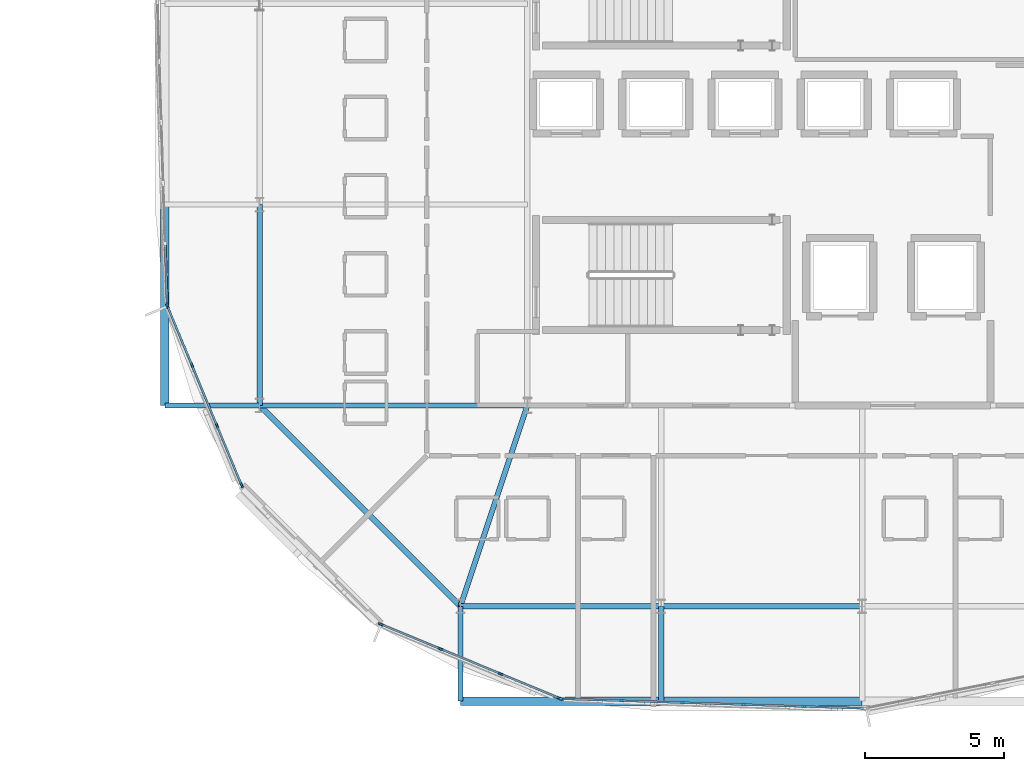
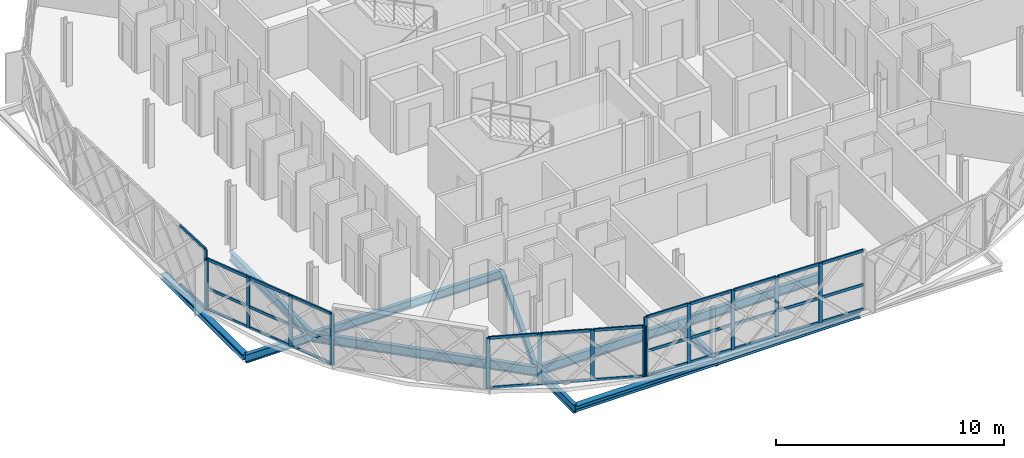
# One storey, part 5 of 26: 46 members, 12 beams, 4 elements without a shape of their own.
"""IFC4 building model written with IfcOpenShell, lengths in metres."""

from ifc_helpers import new_model, si_unit, direction, frame, origin, origin_2d, place, context, subcontext, project, spatial, rectangle, i_section, extrude, material, layer, layer_set, material_profile, profile_set, type_object, element, aggregate, save


model = new_model("IFC4")

# Units and contexts
model_context = context("Model", 3, precision=1e-05, world=origin(), true_north=direction((0.0, 1.0)))
body_context = subcontext(model_context, "Body", "Model", "MODEL_VIEW")
ifc_project = project(units=[si_unit("LENGTHUNIT", "METRE"), si_unit("AREAUNIT", "SQUARE_METRE"), si_unit("VOLUMEUNIT", "CUBIC_METRE"), si_unit("PLANEANGLEUNIT", "RADIAN"), si_unit("MASSUNIT", "GRAM", prefix="KILO")], contexts=[model_context])

# Site, building, storey
site_placement = place(None, origin())
site = spatial("IfcSite", under=ifc_project, at=site_placement, CompositionType="ELEMENT")
building_placement = place(site_placement, origin())
building = spatial("IfcBuilding", under=site, at=building_placement, Name="Zevrakil Square Congress Hotel", CompositionType="ELEMENT")
storey_placement = place(building_placement, frame((0.0, 0.0, 24.89990234375)))
storey = spatial("IfcBuildingStorey", under=building, at=storey_placement, Name="L07", CompositionType="ELEMENT", Elevation=24.89990234375)

# Beams
ifc_material_1 = material(Name="Steel S355", Category="steel")
ifc_material_profile_1 = material_profile(ifc_material_1, i_section(OverallWidth=0.18994140625, OverallDepth=0.449951171875, WebThickness=0.009521484375, FlangeThickness=0.0146484375, FilletRadius=0.02099609375, at=origin_2d()), Name="IPE 450")
ifc_profile_set_1 = profile_set([ifc_material_profile_1], Name="Steel S355")
beam_type_1 = type_object("IfcBeamType", Name="BM-IPE450", PredefinedType="BEAM", material=ifc_profile_set_1)
beam_1_placement = place(storey_placement, frame((136.800048828125, 16.800048828125, -0.429931640625), z_axis=(-0.316247066962, -0.948676864184, 0.0), x_axis=(0.948676864184, -0.316247066962, 0.0)))
element("IfcBeam", 1, at=beam_1_placement, inside=storey, type_object=beam_type_1, Name="L07 drum radial floor beam DRI-01", PredefinedType="BEAM", context=body_context, shape_type="SweptSolid", body=[
    extrude(i_section(OverallWidth=0.18994140625, OverallDepth=0.449951171875, WebThickness=0.009521484375, FlangeThickness=0.0146484375, FilletRadius=0.02099609375, at=origin_2d()), origin(), (0.0, 0.0, 1.0), 7.58935546875),
])
for number, where, z_axis, x_axis, name in (
    (2, (134.39990234375, 9.60009765625, -0.429931640625), (0.0, -1.0, 0.0), (1.0, 0.0, 0.0), "L07 drum radial edge cantilever beam DRO-01"),
    (3, (141.60009765625, 9.60009765625, -0.429931640625), (0.0, -1.0, 0.0), (1.0, 0.0, 0.0), "L07 drum radial edge cantilever beam DRO-02"),
):
    element("IfcBeam", number, at=place(storey_placement, frame(where, z_axis=z_axis, x_axis=x_axis)), inside=storey, type_object=beam_type_1, Name=name, PredefinedType="BEAM", context=body_context, shape_type="SweptSolid", body=[
        extrude(i_section(OverallWidth=0.18994140625, OverallDepth=0.449951171875, WebThickness=0.009521484375, FlangeThickness=0.0146484375, FilletRadius=0.02099609375, at=origin_2d()), origin(), (0.0, 0.0, 1.0), 3.400146484375),
    ])
beam_2_placement = place(storey_placement, frame((136.800048828125, 16.800048828125, -0.429931640625), z_axis=(-1.0, 0.0, 0.0), x_axis=(0.0, -1.0, 0.0)))
element("IfcBeam", 4, at=beam_2_placement, inside=storey, type_object=beam_type_1, Name="L07 drum radial floor beam DRI-16", PredefinedType="BEAM", context=body_context, shape_type="SweptSolid", body=[
    extrude(i_section(OverallWidth=0.18994140625, OverallDepth=0.449951171875, WebThickness=0.009521484375, FlangeThickness=0.0146484375, FilletRadius=0.02099609375, at=origin_2d()), origin(), (0.0, 0.0, 1.0), 9.60009765625),
])
beam_3_placement = place(storey_placement, frame((127.199951171875, 16.800048828125, -0.429931640625), z_axis=(-1.0, 0.0, 0.0), x_axis=(0.0, -1.0, 0.0)))
element("IfcBeam", 5, at=beam_3_placement, inside=storey, type_object=beam_type_1, Name="L07 drum radial edge cantilever beam DRO-16", PredefinedType="BEAM", context=body_context, shape_type="SweptSolid", body=[
    extrude(i_section(OverallWidth=0.18994140625, OverallDepth=0.449951171875, WebThickness=0.009521484375, FlangeThickness=0.0146484375, FilletRadius=0.02099609375, at=origin_2d()), origin(), (0.0, 0.0, 1.0), 3.39990234375),
])
ifc_material_2 = material(Name="Steel S355", Category="steel")
ifc_material_profile_2 = material_profile(ifc_material_2, i_section(OverallWidth=0.199951171875, OverallDepth=0.5, WebThickness=0.01025390625, FlangeThickness=0.01611328125, FilletRadius=0.02099609375, at=origin_2d()), Name="IPE 500")
ifc_profile_set_2 = profile_set([ifc_material_profile_2], Name="Steel S355")
beam_type_2 = type_object("IfcBeamType", Name="BM-IPE500", PredefinedType="BEAM", material=ifc_profile_set_2)
beam_4_placement = place(storey_placement, frame((134.39990234375, 9.60009765625, -0.454833984375), z_axis=(1.0, 0.0, 0.0), x_axis=(0.0, 1.0, 0.0)))
element("IfcBeam", 6, at=beam_4_placement, inside=storey, type_object=beam_type_2, Name="L07 drum ring girder DRB-01", PredefinedType="BEAM", context=body_context, shape_type="SweptSolid", body=[
    extrude(i_section(OverallWidth=0.199951171875, OverallDepth=0.5, WebThickness=0.01025390625, FlangeThickness=0.01611328125, FilletRadius=0.02099609375, at=origin_2d()), origin(), (0.0, 0.0, 1.0), 7.2001953125),
])
for number, where, z_axis, x_axis, name in (
    (7, (141.60009765625, 9.60009765625, -0.454833984375), (1.0, 0.0, 0.0), (0.0, 1.0, 0.0), "L07 drum ring girder DRB-02"),
    (8, (127.199951171875, 24.0, -0.454833984375), (0.0, -1.0, 0.0), (1.0, 0.0, 0.0), "L07 drum ring girder DRB-15"),
):
    element("IfcBeam", number, at=place(storey_placement, frame(where, z_axis=z_axis, x_axis=x_axis)), inside=storey, type_object=beam_type_2, Name=name, PredefinedType="BEAM", context=body_context, shape_type="SweptSolid", body=[
        extrude(i_section(OverallWidth=0.199951171875, OverallDepth=0.5, WebThickness=0.01025390625, FlangeThickness=0.01611328125, FilletRadius=0.02099609375, at=origin_2d()), origin(), (0.0, 0.0, 1.0), 7.199951171875),
    ])
beam_5_placement = place(storey_placement, frame((127.199951171875, 16.800048828125, -0.454833984375), z_axis=(0.707106781187, -0.707106781187, 0.0), x_axis=(0.707106781187, 0.707106781187, 0.0)))
element("IfcBeam", 9, at=beam_5_placement, inside=storey, type_object=beam_type_2, Name="L07 drum ring girder DRB-16", PredefinedType="BEAM", context=body_context, shape_type="SweptSolid", body=[
    extrude(i_section(OverallWidth=0.199951171875, OverallDepth=0.5, WebThickness=0.01025390625, FlangeThickness=0.01611328125, FilletRadius=0.02099609375, at=origin_2d()), origin(), (0.0, 0.0, 1.0), 10.182373046875),
])

# Curtain wall, members
ifc_material_3 = material(Name="Aluminium Anodised Bronze", Category="aluminium")
ifc_layer_1 = layer(ifc_material_3, 0.179931640625)
ifc_layer_set_1 = layer_set([ifc_layer_1], Name="Aluminium Anodised Bronze")
curtain_wall_type_1 = type_object("IfcCurtainWallType", Name="CW-L07-900", PredefinedType="USERDEFINED", material=ifc_layer_set_1)
curtain_wall_1_placement = place(storey_placement, origin())
curtain_wall_1 = element("IfcCurtainWall", 10, at=curtain_wall_1_placement, inside=storey, type_object=curtain_wall_type_1, Name="L07 diamond curtain wall CW-L07-0231", ObjectType="GLAZED CURTAIN WALL", PredefinedType="USERDEFINED")
ifc_material_4 = material(Name="Aluminium Anodised Bronze", Category="aluminium")
ifc_material_profile_3 = material_profile(ifc_material_4, rectangle(XDim=0.074951171875, YDim=0.14990234375, at=origin_2d()), Name="ALU 75x150")
ifc_profile_set_3 = profile_set([ifc_material_profile_3], Name="Aluminium Anodised Bronze")
member_type_1 = type_object("IfcMemberType", Name="CWM-ALU75x150", PredefinedType="USERDEFINED", material=ifc_profile_set_3)
member_1_placement = place(storey_placement, frame((123.81689453125, 22.544677734375, 0.030029296875), z_axis=(0.031602454823, -0.999500517683, 0.0), x_axis=(0.999500517683, 0.031602454823, 0.0)))
member_1 = element("IfcMember", 11, at=member_1_placement, type_object=member_type_1, Name="CW-84 transom 5.1", ObjectType="TRANSOM", PredefinedType="USERDEFINED", context=body_context, shape_type="SweptSolid", body=[
    extrude(rectangle(XDim=0.074951171875, YDim=0.14990234375, at=origin_2d()), origin(), (0.0, 0.0, 1.0), 2.093505859375),
])
member_2_placement = place(storey_placement, frame((123.81689453125, 22.544677734375, 3.16015625), z_axis=(0.031602454823, -0.999500517683, 0.0), x_axis=(0.999500517683, 0.031602454823, 0.0)))
member_2 = element("IfcMember", 12, at=member_2_placement, type_object=member_type_1, Name="CW-84 transom 5.2", ObjectType="TRANSOM", PredefinedType="USERDEFINED", context=body_context, shape_type="SweptSolid", body=[
    extrude(rectangle(XDim=0.074951171875, YDim=0.14990234375, at=origin_2d()), origin(), (0.0, 0.0, 1.0), 2.093505859375),
])

ifc_material_5 = material(Name="Aluminium Anodised Bronze", Category="aluminium")
ifc_layer_2 = layer(ifc_material_5, 0.179931640625)
ifc_layer_set_2 = layer_set([ifc_layer_2], Name="Aluminium Anodised Bronze")
curtain_wall_type_2 = type_object("IfcCurtainWallType", Name="CW-L07-720", PredefinedType="USERDEFINED", material=ifc_layer_set_2)
curtain_wall_2_placement = place(storey_placement, origin())
curtain_wall_2 = element("IfcCurtainWall", 13, at=curtain_wall_2_placement, inside=storey, type_object=curtain_wall_type_2, Name="L07 diamond curtain wall CW-L07-0232", ObjectType="GLAZED CURTAIN WALL", PredefinedType="USERDEFINED")
member_3_placement = place(storey_placement, frame((123.907958984375, 20.336669921875, 0.030029296875), z_axis=(0.382668727465, -0.923885623343, 0.0), x_axis=(0.923885623343, 0.382668727465, 0.0)))
member_3 = element("IfcMember", 14, at=member_3_placement, type_object=member_type_1, Name="CW-82 transom 1.1", ObjectType="TRANSOM", PredefinedType="USERDEFINED", context=body_context, shape_type="SweptSolid", body=[
    extrude(rectangle(XDim=0.074951171875, YDim=0.14990234375, at=origin_2d()), origin(), (0.0, 0.0, 1.0), 2.2451171875),
])
member_4_placement = place(storey_placement, frame((123.907958984375, 20.336669921875, 1.14453125), z_axis=(0.382668727465, -0.923885623343, 0.0), x_axis=(0.923885623343, 0.382668727465, 0.0)))
member_4 = element("IfcMember", 15, at=member_4_placement, type_object=member_type_1, Name="CW-82 transom 1.2", ObjectType="TRANSOM", PredefinedType="USERDEFINED", context=body_context, shape_type="SweptSolid", body=[
    extrude(rectangle(XDim=0.074951171875, YDim=0.14990234375, at=origin_2d()), origin(), (0.0, 0.0, 1.0), 2.2451171875),
])
member_5_placement = place(storey_placement, frame((123.907958984375, 20.336669921875, 2.695068359375), z_axis=(0.382668727465, -0.923885623343, 0.0), x_axis=(0.923885623343, 0.382668727465, 0.0)))
member_5 = element("IfcMember", 16, at=member_5_placement, type_object=member_type_1, Name="CW-82 transom 1.3", ObjectType="TRANSOM", PredefinedType="USERDEFINED", context=body_context, shape_type="SweptSolid", body=[
    extrude(rectangle(XDim=0.074951171875, YDim=0.14990234375, at=origin_2d()), origin(), (0.0, 0.0, 1.0), 2.2451171875),
])
member_6_placement = place(storey_placement, frame((124.7900390625, 18.20703125, 0.030029296875), z_axis=(0.38274032778, -0.923855963606, 0.0), x_axis=(0.923855963606, 0.38274032778, 0.0)))
member_6 = element("IfcMember", 17, at=member_6_placement, type_object=member_type_1, Name="CW-82 transom 2.1", ObjectType="TRANSOM", PredefinedType="USERDEFINED", context=body_context, shape_type="SweptSolid", body=[
    extrude(rectangle(XDim=0.074951171875, YDim=0.14990234375, at=origin_2d()), origin(), (0.0, 0.0, 1.0), 2.275390625),
])
member_7_placement = place(storey_placement, frame((124.7900390625, 18.20703125, 1.14453125), z_axis=(0.38274032778, -0.923855963606, 0.0), x_axis=(0.923855963606, 0.38274032778, 0.0)))
member_7 = element("IfcMember", 18, at=member_7_placement, type_object=member_type_1, Name="CW-82 transom 2.2", ObjectType="TRANSOM", PredefinedType="USERDEFINED", context=body_context, shape_type="SweptSolid", body=[
    extrude(rectangle(XDim=0.074951171875, YDim=0.14990234375, at=origin_2d()), origin(), (0.0, 0.0, 1.0), 2.275390625),
])
member_8_placement = place(storey_placement, frame((124.7900390625, 18.20703125, 2.695068359375), z_axis=(0.38274032778, -0.923855963606, 0.0), x_axis=(0.923855963606, 0.38274032778, 0.0)))
member_8 = element("IfcMember", 19, at=member_8_placement, type_object=member_type_1, Name="CW-82 transom 2.3", ObjectType="TRANSOM", PredefinedType="USERDEFINED", context=body_context, shape_type="SweptSolid", body=[
    extrude(rectangle(XDim=0.074951171875, YDim=0.14990234375, at=origin_2d()), origin(), (0.0, 0.0, 1.0), 2.275390625),
])
member_9_placement = place(storey_placement, frame((125.683837890625, 16.049560546875, 0.030029296875), z_axis=(0.382630285552, -0.923901544851, 0.0), x_axis=(0.923901544851, 0.382630285552, 0.0)))
member_9 = element("IfcMember", 20, at=member_9_placement, type_object=member_type_1, Name="CW-82 transom 3.1", ObjectType="TRANSOM", PredefinedType="USERDEFINED", context=body_context, shape_type="SweptSolid", body=[
    extrude(rectangle(XDim=0.074951171875, YDim=0.14990234375, at=origin_2d()), origin(), (0.0, 0.0, 1.0), 2.245361328125),
])
member_10_placement = place(storey_placement, frame((125.683837890625, 16.049560546875, 1.14453125), z_axis=(0.382630285552, -0.923901544851, 0.0), x_axis=(0.923901544851, 0.382630285552, 0.0)))
member_10 = element("IfcMember", 21, at=member_10_placement, type_object=member_type_1, Name="CW-82 transom 3.2", ObjectType="TRANSOM", PredefinedType="USERDEFINED", context=body_context, shape_type="SweptSolid", body=[
    extrude(rectangle(XDim=0.074951171875, YDim=0.14990234375, at=origin_2d()), origin(), (0.0, 0.0, 1.0), 2.245361328125),
])
member_11_placement = place(storey_placement, frame((125.683837890625, 16.049560546875, 2.695068359375), z_axis=(0.382630285552, -0.923901544851, 0.0), x_axis=(0.923901544851, 0.382630285552, 0.0)))
member_11 = element("IfcMember", 22, at=member_11_placement, type_object=member_type_1, Name="CW-82 transom 3.3", ObjectType="TRANSOM", PredefinedType="USERDEFINED", context=body_context, shape_type="SweptSolid", body=[
    extrude(rectangle(XDim=0.074951171875, YDim=0.14990234375, at=origin_2d()), origin(), (0.0, 0.0, 1.0), 2.245361328125),
])

curtain_wall_3_placement = place(storey_placement, origin())
curtain_wall_3 = element("IfcCurtainWall", 23, at=curtain_wall_3_placement, inside=storey, type_object=curtain_wall_type_2, Name="L07 diamond curtain wall CW-L07-0233", ObjectType="GLAZED CURTAIN WALL", PredefinedType="USERDEFINED")
member_12_placement = place(storey_placement, frame((131.5751953125, 8.943115234375, 0.030029296875), z_axis=(0.923847174836, -0.382761541363, 0.0), x_axis=(0.382761541363, 0.923847174836, 0.0)))
member_12 = element("IfcMember", 24, at=member_12_placement, type_object=member_type_1, Name="CW-82 transom 1.1", ObjectType="TRANSOM", PredefinedType="USERDEFINED", context=body_context, shape_type="SweptSolid", body=[
    extrude(rectangle(XDim=0.074951171875, YDim=0.14990234375, at=origin_2d()), origin(), (0.0, 0.0, 1.0), 2.2451171875),
])
member_13_placement = place(storey_placement, frame((131.5751953125, 8.943115234375, 2.695068359375), z_axis=(0.923847174836, -0.382761541363, 0.0), x_axis=(0.382761541363, 0.923847174836, 0.0)))
member_13 = element("IfcMember", 25, at=member_13_placement, type_object=member_type_1, Name="CW-82 transom 1.2", ObjectType="TRANSOM", PredefinedType="USERDEFINED", context=body_context, shape_type="SweptSolid", body=[
    extrude(rectangle(XDim=0.074951171875, YDim=0.14990234375, at=origin_2d()), origin(), (0.0, 0.0, 1.0), 2.2451171875),
])
member_14_placement = place(storey_placement, frame((133.704833984375, 8.060791015625, 0.030029296875), z_axis=(0.923893901698, -0.382648740238, 0.0), x_axis=(0.382648740238, 0.923893901698, 0.0)))
member_14 = element("IfcMember", 26, at=member_14_placement, type_object=member_type_1, Name="CW-82 transom 2.1", ObjectType="TRANSOM", PredefinedType="USERDEFINED", context=body_context, shape_type="SweptSolid", body=[
    extrude(rectangle(XDim=0.074951171875, YDim=0.14990234375, at=origin_2d()), origin(), (0.0, 0.0, 1.0), 2.275146484375),
])
member_15_placement = place(storey_placement, frame((133.704833984375, 8.060791015625, 2.695068359375), z_axis=(0.923893901698, -0.382648740238, 0.0), x_axis=(0.382648740238, 0.923893901698, 0.0)))
member_15 = element("IfcMember", 27, at=member_15_placement, type_object=member_type_1, Name="CW-82 transom 2.2", ObjectType="TRANSOM", PredefinedType="USERDEFINED", context=body_context, shape_type="SweptSolid", body=[
    extrude(rectangle(XDim=0.074951171875, YDim=0.14990234375, at=origin_2d()), origin(), (0.0, 0.0, 1.0), 2.275146484375),
])
member_16_placement = place(storey_placement, frame((135.8623046875, 7.167236328125, 0.030029296875), z_axis=(0.923863103406, -0.382723093326, 0.0), x_axis=(0.382723093326, 0.923863103406, 0.0)))
member_16 = element("IfcMember", 28, at=member_16_placement, type_object=member_type_1, Name="CW-82 transom 3.1", ObjectType="TRANSOM", PredefinedType="USERDEFINED", context=body_context, shape_type="SweptSolid", body=[
    extrude(rectangle(XDim=0.074951171875, YDim=0.14990234375, at=origin_2d()), origin(), (0.0, 0.0, 1.0), 2.245361328125),
])
member_17_placement = place(storey_placement, frame((135.8623046875, 7.167236328125, 2.695068359375), z_axis=(0.923863103406, -0.382723093326, 0.0), x_axis=(0.382723093326, 0.923863103406, 0.0)))
member_17 = element("IfcMember", 29, at=member_17_placement, type_object=member_type_1, Name="CW-82 transom 3.2", ObjectType="TRANSOM", PredefinedType="USERDEFINED", context=body_context, shape_type="SweptSolid", body=[
    extrude(rectangle(XDim=0.074951171875, YDim=0.14990234375, at=origin_2d()), origin(), (0.0, 0.0, 1.0), 2.245361328125),
])

curtain_wall_4_placement = place(storey_placement, origin())
curtain_wall_4 = element("IfcCurtainWall", 30, at=curtain_wall_4_placement, inside=storey, type_object=curtain_wall_type_1, Name="L07 diamond curtain wall CW-L07-0234", ObjectType="GLAZED CURTAIN WALL", PredefinedType="USERDEFINED")
member_18_placement = place(storey_placement, frame((138.05224609375, 6.283203125, 0.030029296875), z_axis=(0.999500517683, -0.031602454823, 0.0), x_axis=(0.031602454823, 0.999500517683, 0.0)))
member_18 = element("IfcMember", 31, at=member_18_placement, type_object=member_type_1, Name="CW-84 transom 1.1", ObjectType="TRANSOM", PredefinedType="USERDEFINED", context=body_context, shape_type="SweptSolid", body=[
    extrude(rectangle(XDim=0.074951171875, YDim=0.14990234375, at=origin_2d()), origin(), (0.0, 0.0, 1.0), 2.093505859375),
])
member_19_placement = place(storey_placement, frame((138.05224609375, 6.283203125, 1.33984375), z_axis=(0.999500517683, -0.031602454823, 0.0), x_axis=(0.031602454823, 0.999500517683, 0.0)))
member_19 = element("IfcMember", 32, at=member_19_placement, type_object=member_type_1, Name="CW-84 transom 1.2", ObjectType="TRANSOM", PredefinedType="USERDEFINED", context=body_context, shape_type="SweptSolid", body=[
    extrude(rectangle(XDim=0.074951171875, YDim=0.14990234375, at=origin_2d()), origin(), (0.0, 0.0, 1.0), 2.093505859375),
])
member_20_placement = place(storey_placement, frame((138.05224609375, 6.283203125, 3.16015625), z_axis=(0.999500517683, -0.031602454823, 0.0), x_axis=(0.031602454823, 0.999500517683, 0.0)))
member_20 = element("IfcMember", 33, at=member_20_placement, type_object=member_type_1, Name="CW-84 transom 1.3", ObjectType="TRANSOM", PredefinedType="USERDEFINED", context=body_context, shape_type="SweptSolid", body=[
    extrude(rectangle(XDim=0.074951171875, YDim=0.14990234375, at=origin_2d()), origin(), (0.0, 0.0, 1.0), 2.093505859375),
])
member_21_placement = place(storey_placement, frame((140.204833984375, 6.215087890625, 0.030029296875), z_axis=(0.999500114685, -0.031615198015, 0.0), x_axis=(0.031615198015, 0.999500114685, 0.0)))
member_21 = element("IfcMember", 34, at=member_21_placement, type_object=member_type_1, Name="CW-84 transom 2.1", ObjectType="TRANSOM", PredefinedType="USERDEFINED", context=body_context, shape_type="SweptSolid", body=[
    extrude(rectangle(XDim=0.074951171875, YDim=0.14990234375, at=origin_2d()), origin(), (0.0, 0.0, 1.0), 2.12353515625),
])
member_22_placement = place(storey_placement, frame((140.204833984375, 6.215087890625, 1.33984375), z_axis=(0.999500114685, -0.031615198015, 0.0), x_axis=(0.031615198015, 0.999500114685, 0.0)))
member_22 = element("IfcMember", 35, at=member_22_placement, type_object=member_type_1, Name="CW-84 transom 2.2", ObjectType="TRANSOM", PredefinedType="USERDEFINED", context=body_context, shape_type="SweptSolid", body=[
    extrude(rectangle(XDim=0.074951171875, YDim=0.14990234375, at=origin_2d()), origin(), (0.0, 0.0, 1.0), 2.12353515625),
])
member_23_placement = place(storey_placement, frame((140.204833984375, 6.215087890625, 3.16015625), z_axis=(0.999500114685, -0.031615198015, 0.0), x_axis=(0.031615198015, 0.999500114685, 0.0)))
member_23 = element("IfcMember", 36, at=member_23_placement, type_object=member_type_1, Name="CW-84 transom 2.3", ObjectType="TRANSOM", PredefinedType="USERDEFINED", context=body_context, shape_type="SweptSolid", body=[
    extrude(rectangle(XDim=0.074951171875, YDim=0.14990234375, at=origin_2d()), origin(), (0.0, 0.0, 1.0), 2.12353515625),
])
member_24_placement = place(storey_placement, frame((142.38720703125, 6.14599609375, 0.030029296875), z_axis=(0.999500229574, -0.031611565628, 0.0), x_axis=(0.031611565628, 0.999500229574, 0.0)))
member_24 = element("IfcMember", 37, at=member_24_placement, type_object=member_type_1, Name="CW-84 transom 3.1", ObjectType="TRANSOM", PredefinedType="USERDEFINED", context=body_context, shape_type="SweptSolid", body=[
    extrude(rectangle(XDim=0.074951171875, YDim=0.14990234375, at=origin_2d()), origin(), (0.0, 0.0, 1.0), 2.123779296875),
])
member_25_placement = place(storey_placement, frame((142.38720703125, 6.14599609375, 1.33984375), z_axis=(0.999500229574, -0.031611565628, 0.0), x_axis=(0.031611565628, 0.999500229574, 0.0)))
member_25 = element("IfcMember", 38, at=member_25_placement, type_object=member_type_1, Name="CW-84 transom 3.2", ObjectType="TRANSOM", PredefinedType="USERDEFINED", context=body_context, shape_type="SweptSolid", body=[
    extrude(rectangle(XDim=0.074951171875, YDim=0.14990234375, at=origin_2d()), origin(), (0.0, 0.0, 1.0), 2.123779296875),
])
member_26_placement = place(storey_placement, frame((142.38720703125, 6.14599609375, 3.16015625), z_axis=(0.999500229574, -0.031611565628, 0.0), x_axis=(0.031611565628, 0.999500229574, 0.0)))
member_26 = element("IfcMember", 39, at=member_26_placement, type_object=member_type_1, Name="CW-84 transom 3.3", ObjectType="TRANSOM", PredefinedType="USERDEFINED", context=body_context, shape_type="SweptSolid", body=[
    extrude(rectangle(XDim=0.074951171875, YDim=0.14990234375, at=origin_2d()), origin(), (0.0, 0.0, 1.0), 2.123779296875),
])
member_27_placement = place(storey_placement, frame((144.56982421875, 6.0771484375, 0.030029296875), z_axis=(0.999500114685, -0.031615198015, 0.0), x_axis=(0.031615198015, 0.999500114685, 0.0)))
member_27 = element("IfcMember", 40, at=member_27_placement, type_object=member_type_1, Name="CW-84 transom 4.1", ObjectType="TRANSOM", PredefinedType="USERDEFINED", context=body_context, shape_type="SweptSolid", body=[
    extrude(rectangle(XDim=0.074951171875, YDim=0.14990234375, at=origin_2d()), origin(), (0.0, 0.0, 1.0), 2.12353515625),
])
member_28_placement = place(storey_placement, frame((144.56982421875, 6.0771484375, 1.33984375), z_axis=(0.999500114685, -0.031615198015, 0.0), x_axis=(0.031615198015, 0.999500114685, 0.0)))
member_28 = element("IfcMember", 41, at=member_28_placement, type_object=member_type_1, Name="CW-84 transom 4.2", ObjectType="TRANSOM", PredefinedType="USERDEFINED", context=body_context, shape_type="SweptSolid", body=[
    extrude(rectangle(XDim=0.074951171875, YDim=0.14990234375, at=origin_2d()), origin(), (0.0, 0.0, 1.0), 2.12353515625),
])
member_29_placement = place(storey_placement, frame((144.56982421875, 6.0771484375, 3.16015625), z_axis=(0.999500114685, -0.031615198015, 0.0), x_axis=(0.031615198015, 0.999500114685, 0.0)))
member_29 = element("IfcMember", 42, at=member_29_placement, type_object=member_type_1, Name="CW-84 transom 4.3", ObjectType="TRANSOM", PredefinedType="USERDEFINED", context=body_context, shape_type="SweptSolid", body=[
    extrude(rectangle(XDim=0.074951171875, YDim=0.14990234375, at=origin_2d()), origin(), (0.0, 0.0, 1.0), 2.12353515625),
])
member_30_placement = place(storey_placement, frame((146.75244140625, 6.008056640625, 0.030029296875), z_axis=(0.999500517683, -0.031602454823, 0.0), x_axis=(0.031602454823, 0.999500517683, 0.0)))
member_30 = element("IfcMember", 43, at=member_30_placement, type_object=member_type_1, Name="CW-84 transom 5.1", ObjectType="TRANSOM", PredefinedType="USERDEFINED", context=body_context, shape_type="SweptSolid", body=[
    extrude(rectangle(XDim=0.074951171875, YDim=0.14990234375, at=origin_2d()), origin(), (0.0, 0.0, 1.0), 2.093505859375),
])
member_31_placement = place(storey_placement, frame((146.75244140625, 6.008056640625, 1.33984375), z_axis=(0.999500517683, -0.031602454823, 0.0), x_axis=(0.031602454823, 0.999500517683, 0.0)))
member_31 = element("IfcMember", 44, at=member_31_placement, type_object=member_type_1, Name="CW-84 transom 5.2", ObjectType="TRANSOM", PredefinedType="USERDEFINED", context=body_context, shape_type="SweptSolid", body=[
    extrude(rectangle(XDim=0.074951171875, YDim=0.14990234375, at=origin_2d()), origin(), (0.0, 0.0, 1.0), 2.093505859375),
])
member_32_placement = place(storey_placement, frame((146.75244140625, 6.008056640625, 3.16015625), z_axis=(0.999500517683, -0.031602454823, 0.0), x_axis=(0.031602454823, 0.999500517683, 0.0)))
member_32 = element("IfcMember", 45, at=member_32_placement, type_object=member_type_1, Name="CW-84 transom 5.3", ObjectType="TRANSOM", PredefinedType="USERDEFINED", context=body_context, shape_type="SweptSolid", body=[
    extrude(rectangle(XDim=0.074951171875, YDim=0.14990234375, at=origin_2d()), origin(), (0.0, 0.0, 1.0), 2.093505859375),
])

# Member
ifc_material_6 = material(Name="Aluminium Anodised Bronze", Category="aluminium")
ifc_material_profile_4 = material_profile(ifc_material_6, rectangle(XDim=0.074951171875, YDim=0.179931640625, at=origin_2d()), Name="ALU 75x180")
ifc_profile_set_4 = profile_set([ifc_material_profile_4], Name="Aluminium Anodised Bronze")
member_type_2 = type_object("IfcMemberType", Name="CWM-ALU75x180", PredefinedType="MULLION", material=ifc_profile_set_4)
member_33_placement = place(storey_placement, frame((123.884033203125, 20.422119140625, 0.0), z_axis=(0.0, 0.0, 1.0), x_axis=(0.999500643846, 0.031598464383, 0.0)))
member_33 = element("IfcMember", 46, at=member_33_placement, type_object=member_type_2, Name="CW-84 mullion 6", PredefinedType="MULLION", context=body_context, shape_type="SweptSolid", body=[
    extrude(rectangle(XDim=0.074951171875, YDim=0.179931640625, at=origin_2d()), origin(), (0.0, 0.0, 1.0), 3.190185546875),
])

aggregate(curtain_wall_1, [member_33, member_1, member_2])

member_34_placement = place(storey_placement, frame((123.896484375, 20.364501953125, 0.0), z_axis=(0.0, 0.0, 1.0), x_axis=(0.92387939537, 0.382683763454, 0.0)))
member_34 = element("IfcMember", 47, at=member_34_placement, type_object=member_type_2, Name="CW-82 mullion 1", PredefinedType="MULLION", context=body_context, shape_type="SweptSolid", body=[
    extrude(rectangle(XDim=0.074951171875, YDim=0.179931640625, at=origin_2d()), origin(), (0.0, 0.0, 1.0), 2.72509765625),
])

member_35_placement = place(storey_placement, frame((124.778564453125, 18.234619140625, 0.0), z_axis=(0.0, 0.0, 1.0), x_axis=(0.92387939537, 0.382683763454, 0.0)))
member_35 = element("IfcMember", 48, at=member_35_placement, type_object=member_type_2, Name="CW-82 mullion 2", PredefinedType="MULLION", context=body_context, shape_type="SweptSolid", body=[
    extrude(rectangle(XDim=0.074951171875, YDim=0.179931640625, at=origin_2d()), origin(), (0.0, 0.0, 1.0), 2.72509765625),
])

member_36_placement = place(storey_placement, frame((125.67236328125, 16.0771484375, 0.0), z_axis=(0.0, 0.0, 1.0), x_axis=(0.92387939537, 0.382683763454, 0.0)))
member_36 = element("IfcMember", 49, at=member_36_placement, type_object=member_type_2, Name="CW-82 mullion 3", PredefinedType="MULLION", context=body_context, shape_type="SweptSolid", body=[
    extrude(rectangle(XDim=0.074951171875, YDim=0.179931640625, at=origin_2d()), origin(), (0.0, 0.0, 1.0), 2.72509765625),
])

member_37_placement = place(storey_placement, frame((126.554443359375, 13.947509765625, 0.0), z_axis=(0.0, 0.0, 1.0), x_axis=(0.92387939537, 0.382683763454, 0.0)))
member_37 = element("IfcMember", 50, at=member_37_placement, type_object=member_type_2, Name="CW-82 mullion 4", PredefinedType="MULLION", context=body_context, shape_type="SweptSolid", body=[
    extrude(rectangle(XDim=0.074951171875, YDim=0.179931640625, at=origin_2d()), origin(), (0.0, 0.0, 1.0), 2.72509765625),
])

aggregate(curtain_wall_2, [member_34, member_35, member_36, member_37, member_3, member_4, member_5, member_6, member_7, member_8, member_9, member_10, member_11])

member_38_placement = place(storey_placement, frame((131.54736328125, 8.95458984375, 0.0), z_axis=(0.0, 0.0, 1.0), x_axis=(0.382683763454, 0.92387939537, 0.0)))
member_38 = element("IfcMember", 51, at=member_38_placement, type_object=member_type_2, Name="CW-82 mullion 1", PredefinedType="MULLION", context=body_context, shape_type="SweptSolid", body=[
    extrude(rectangle(XDim=0.074951171875, YDim=0.179931640625, at=origin_2d()), origin(), (0.0, 0.0, 1.0), 2.72509765625),
])

member_39_placement = place(storey_placement, frame((133.67724609375, 8.072265625, 0.0), z_axis=(0.0, 0.0, 1.0), x_axis=(0.382683763454, 0.92387939537, 0.0)))
member_39 = element("IfcMember", 52, at=member_39_placement, type_object=member_type_2, Name="CW-82 mullion 2", PredefinedType="MULLION", context=body_context, shape_type="SweptSolid", body=[
    extrude(rectangle(XDim=0.074951171875, YDim=0.179931640625, at=origin_2d()), origin(), (0.0, 0.0, 1.0), 2.72509765625),
])

member_40_placement = place(storey_placement, frame((135.834716796875, 7.1787109375, 0.0), z_axis=(0.0, 0.0, 1.0), x_axis=(0.382683763454, 0.92387939537, 0.0)))
member_40 = element("IfcMember", 53, at=member_40_placement, type_object=member_type_2, Name="CW-82 mullion 3", PredefinedType="MULLION", context=body_context, shape_type="SweptSolid", body=[
    extrude(rectangle(XDim=0.074951171875, YDim=0.179931640625, at=origin_2d()), origin(), (0.0, 0.0, 1.0), 2.72509765625),
])

member_41_placement = place(storey_placement, frame((137.964599609375, 6.29638671875, 0.0), z_axis=(0.0, 0.0, 1.0), x_axis=(0.382683763454, 0.92387939537, 0.0)))
member_41 = element("IfcMember", 54, at=member_41_placement, type_object=member_type_2, Name="CW-82 mullion 4", PredefinedType="MULLION", context=body_context, shape_type="SweptSolid", body=[
    extrude(rectangle(XDim=0.074951171875, YDim=0.179931640625, at=origin_2d()), origin(), (0.0, 0.0, 1.0), 2.72509765625),
])

aggregate(curtain_wall_3, [member_38, member_39, member_40, member_41, member_12, member_13, member_14, member_15, member_16, member_17])

member_42_placement = place(storey_placement, frame((138.022216796875, 6.283935546875, 0.0), z_axis=(0.0, 0.0, 1.0), x_axis=(0.031598464383, 0.999500643846, 0.0)))
member_42 = element("IfcMember", 55, at=member_42_placement, type_object=member_type_2, Name="CW-84 mullion 1", PredefinedType="MULLION", context=body_context, shape_type="SweptSolid", body=[
    extrude(rectangle(XDim=0.074951171875, YDim=0.179931640625, at=origin_2d()), origin(), (0.0, 0.0, 1.0), 3.190185546875),
])

member_43_placement = place(storey_placement, frame((140.1748046875, 6.216064453125, 0.0), z_axis=(0.0, 0.0, 1.0), x_axis=(0.031598464383, 0.999500643846, 0.0)))
member_43 = element("IfcMember", 56, at=member_43_placement, type_object=member_type_2, Name="CW-84 mullion 2", PredefinedType="MULLION", context=body_context, shape_type="SweptSolid", body=[
    extrude(rectangle(XDim=0.074951171875, YDim=0.179931640625, at=origin_2d()), origin(), (0.0, 0.0, 1.0), 3.190185546875),
])

member_44_placement = place(storey_placement, frame((142.357421875, 6.14697265625, 0.0), z_axis=(0.0, 0.0, 1.0), x_axis=(0.031598464383, 0.999500643846, 0.0)))
member_44 = element("IfcMember", 57, at=member_44_placement, type_object=member_type_2, Name="CW-84 mullion 3", PredefinedType="MULLION", context=body_context, shape_type="SweptSolid", body=[
    extrude(rectangle(XDim=0.074951171875, YDim=0.179931640625, at=origin_2d()), origin(), (0.0, 0.0, 1.0), 3.190185546875),
])

member_45_placement = place(storey_placement, frame((144.539794921875, 6.077880859375, 0.0), z_axis=(0.0, 0.0, 1.0), x_axis=(0.031598464383, 0.999500643846, 0.0)))
member_45 = element("IfcMember", 58, at=member_45_placement, type_object=member_type_2, Name="CW-84 mullion 4", PredefinedType="MULLION", context=body_context, shape_type="SweptSolid", body=[
    extrude(rectangle(XDim=0.074951171875, YDim=0.179931640625, at=origin_2d()), origin(), (0.0, 0.0, 1.0), 3.190185546875),
])

member_46_placement = place(storey_placement, frame((146.722412109375, 6.009033203125, 0.0), z_axis=(0.0, 0.0, 1.0), x_axis=(0.031598464383, 0.999500643846, 0.0)))
member_46 = element("IfcMember", 59, at=member_46_placement, type_object=member_type_2, Name="CW-84 mullion 5", PredefinedType="MULLION", context=body_context, shape_type="SweptSolid", body=[
    extrude(rectangle(XDim=0.074951171875, YDim=0.179931640625, at=origin_2d()), origin(), (0.0, 0.0, 1.0), 3.190185546875),
])

aggregate(curtain_wall_4, [member_42, member_43, member_44, member_45, member_46, member_18, member_19, member_20, member_21, member_22, member_23, member_24, member_25, member_26, member_27, member_28, member_29, member_30, member_31, member_32])

# Beams
ifc_material_7 = material(Name="Steel S355", Category="steel")
ifc_material_profile_5 = material_profile(ifc_material_7, i_section(OverallWidth=0.300048828125, OverallDepth=0.300048828125, WebThickness=0.010986328125, FlangeThickness=0.01904296875, FilletRadius=0.027099609375, at=origin_2d()), Name="HEB 300")
ifc_profile_set_5 = profile_set([ifc_material_profile_5], Name="Steel S355")
beam_type_3 = type_object("IfcBeamType", Name="SPD-RHS250", PredefinedType="SPANDREL", material=ifc_profile_set_5)
beam_6_placement = place(storey_placement, frame((134.39990234375, 6.199951171875, -0.35498046875), z_axis=(1.0, 0.0, 0.0), x_axis=(0.0, 1.0, 0.0)))
element("IfcBeam", 60, at=beam_6_placement, inside=storey, type_object=beam_type_3, Name="L07 drum edge spandrel beam DSP-00", PredefinedType="SPANDREL", context=body_context, shape_type="SweptSolid", body=[
    extrude(i_section(OverallWidth=0.300048828125, OverallDepth=0.300048828125, WebThickness=0.010986328125, FlangeThickness=0.01904296875, FilletRadius=0.027099609375, at=origin_2d()), origin(), (0.0, 0.0, 1.0), 7.2001953125),
])
for number, where, z_axis, x_axis, name in (
    (61, (141.60009765625, 6.199951171875, -0.35498046875), (1.0, 0.0, 0.0), (0.0, 1.0, 0.0), "L07 drum edge spandrel beam DSP-01"),
    (62, (123.800048828125, 24.0, -0.35498046875), (0.0, -1.0, 0.0), (1.0, 0.0, 0.0), "L07 drum edge spandrel beam DSP-14"),
):
    element("IfcBeam", number, at=place(storey_placement, frame(where, z_axis=z_axis, x_axis=x_axis)), inside=storey, type_object=beam_type_3, Name=name, PredefinedType="SPANDREL", context=body_context, shape_type="SweptSolid", body=[
        extrude(i_section(OverallWidth=0.300048828125, OverallDepth=0.300048828125, WebThickness=0.010986328125, FlangeThickness=0.01904296875, FilletRadius=0.027099609375, at=origin_2d()), origin(), (0.0, 0.0, 1.0), 7.199951171875),
    ])

save(model, "model.ifc")
